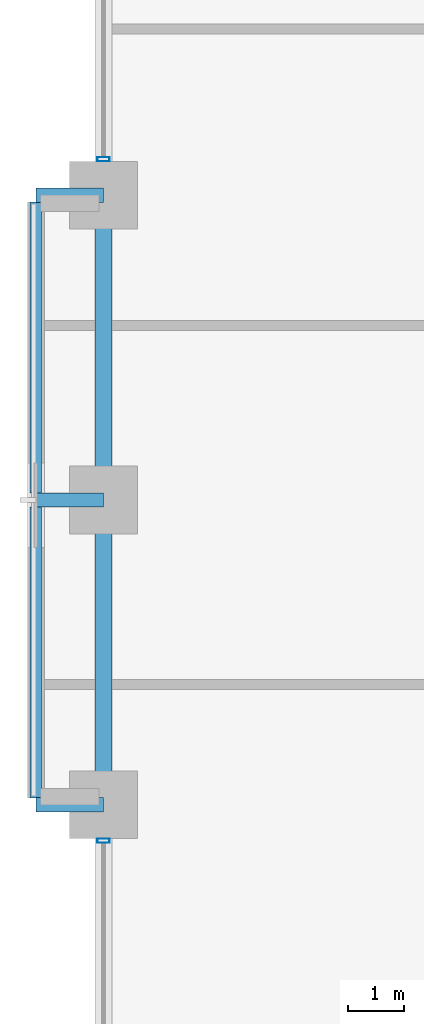
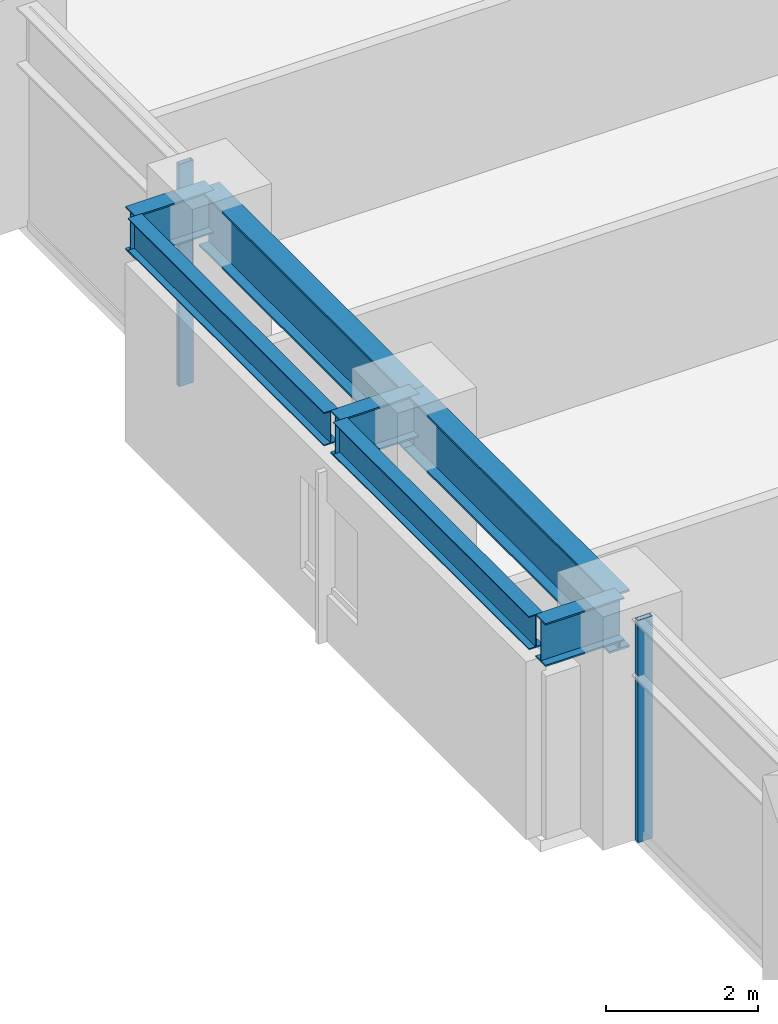
# One storey, part 6 of 26: 7 beams, 2 members, 2 elements without a shape of their own.
"""IFC4 building model written with IfcOpenShell, lengths in metres."""

from ifc_helpers import new_model, si_unit, direction, frame, origin, origin_2d, place, context, subcontext, project, spatial, hollow_rectangle, i_section, extrude, material, layer, layer_set, material_profile, profile_set, type_object, element, aggregate, save


model = new_model("IFC4")

# Units and contexts
model_context = context("Model", 3, precision=1e-05, world=origin(), true_north=direction((0.0, 1.0)))
body_context = subcontext(model_context, "Body", "Model", "MODEL_VIEW")
ifc_project = project(units=[si_unit("LENGTHUNIT", "METRE"), si_unit("AREAUNIT", "SQUARE_METRE"), si_unit("VOLUMEUNIT", "CUBIC_METRE"), si_unit("PLANEANGLEUNIT", "RADIAN"), si_unit("MASSUNIT", "GRAM", prefix="KILO")], contexts=[model_context])

# Site, building, storey
site_placement = place(None, origin())
site = spatial("IfcSite", under=ifc_project, at=site_placement, CompositionType="ELEMENT")
building_placement = place(site_placement, origin())
building = spatial("IfcBuilding", under=site, at=building_placement, Name="Surkhivell Harbour Commons", CompositionType="ELEMENT")
storey_placement = place(building_placement, frame((0.0, 0.0, 60.0)))
storey = spatial("IfcBuildingStorey", under=building, at=storey_placement, Name="L15", CompositionType="ELEMENT", Elevation=60.0)

# Beams
ifc_material_1 = material(Name="Steel S460", Category="steel")
ifc_material_profile_1 = material_profile(ifc_material_1, i_section(OverallWidth=0.256103515625, OverallDepth=0.693115234375, WebThickness=0.014404296875, FlangeThickness=0.023681640625, at=origin_2d()), Name="UB686x254x170")
ifc_profile_set_1 = profile_set([ifc_material_profile_1], Name="Steel S460")
beam_type_1 = type_object("IfcBeamType", Name="BM-CNT-686", PredefinedType="BEAM", material=ifc_profile_set_1)
for number, where, z_axis, x_axis, name in (
    (1, (-32.39990234375, -5.39990234375, 3.223388671875), (-1.0, 0.0, 0.0), (0.0, -1.0, 0.0), "L15 Box Cantilever Outrigger (-32.4,-5.4)"),
    (2, (-32.39990234375, 0.0, 3.223388671875), (-1.0, 0.0, 0.0), (0.0, -1.0, 0.0), "L15 Box Cantilever Outrigger (-32.4,0.0)"),
    (3, (-32.39990234375, 5.39990234375, 3.223388671875), (-1.0, 0.0, 0.0), (0.0, -1.0, 0.0), "L15 Box Cantilever Outrigger (-32.4,5.4)"),
):
    element("IfcBeam", number, at=place(storey_placement, frame(where, z_axis=z_axis, x_axis=x_axis)), inside=storey, type_object=beam_type_1, Name=name, PredefinedType="BEAM", context=body_context, shape_type="SweptSolid", body=[
        extrude(i_section(OverallWidth=0.256103515625, OverallDepth=0.693115234375, WebThickness=0.014404296875, FlangeThickness=0.023681640625, at=origin_2d()), origin(), (0.0, 0.0, 1.0), 1.2001953125),
    ])
ifc_material_2 = material(Name="Steel S355", Category="steel")
ifc_material_profile_2 = material_profile(ifc_material_2, i_section(OverallWidth=0.2099609375, OverallDepth=0.537109375, WebThickness=0.0107421875, FlangeThickness=0.017333984375, at=origin_2d()), Name="UB533x210x101")
ifc_profile_set_2 = profile_set([ifc_material_profile_2], Name="Steel S355")
beam_type_2 = type_object("IfcBeamType", Name="BM-GRD-533B", PredefinedType="BEAM", material=ifc_profile_set_2)
for number, where, z_axis, x_axis, name in (
    (4, (-33.60009765625, -5.278076171875, 3.301513671875), (0.0, 1.0, 0.0), (-1.0, 0.0, 0.0), "L15 Box Rim Spandrel (-33.6,-5.4)"),
    (5, (-33.60009765625, 0.1220703125, 3.301513671875), (0.0, 1.0, 0.0), (-1.0, 0.0, 0.0), "L15 Box Rim Spandrel (-33.6,0.0)"),
):
    element("IfcBeam", number, at=place(storey_placement, frame(where, z_axis=z_axis, x_axis=x_axis)), inside=storey, type_object=beam_type_2, Name=name, PredefinedType="BEAM", context=body_context, shape_type="SweptSolid", body=[
        extrude(i_section(OverallWidth=0.2099609375, OverallDepth=0.537109375, WebThickness=0.0107421875, FlangeThickness=0.017333984375, at=origin_2d()), origin(), (0.0, 0.0, 1.0), 5.156005859375),
    ])
ifc_material_profile_3 = material_profile(ifc_material_1, i_section(OverallWidth=0.30810546875, OverallDepth=0.927001953125, WebThickness=0.01953125, FlangeThickness=0.031982421875, at=origin_2d()), Name="UB914x305x289")
ifc_profile_set_3 = profile_set([ifc_material_profile_3], Name="Steel S460")
beam_type_3 = type_object("IfcBeamType", Name="BM-SPN-914B", PredefinedType="SPANDREL", material=ifc_profile_set_3)
for number, where, z_axis, x_axis, name in (
    (6, (-32.39990234375, -5.39990234375, 3.1064453125), (0.0, 1.0, 0.0), (-1.0, 0.0, 0.0), "L15 Tube Spandrel (-32.4,-5.4)"),
    (7, (-32.39990234375, 0.0, 3.1064453125), (0.0, 1.0, 0.0), (-1.0, 0.0, 0.0), "L15 Tube Spandrel (-32.4,0.0)"),
):
    element("IfcBeam", number, at=place(storey_placement, frame(where, z_axis=z_axis, x_axis=x_axis)), inside=storey, type_object=beam_type_3, Name=name, PredefinedType="SPANDREL", context=body_context, shape_type="SweptSolid", body=[
        extrude(i_section(OverallWidth=0.30810546875, OverallDepth=0.927001953125, WebThickness=0.01953125, FlangeThickness=0.031982421875, at=origin_2d()), origin(), (0.0, 0.0, 1.0), 5.39990234375),
    ])

# Curtain wall, member
ifc_material_3 = material(Name="Anodised pale-metal aluminium and insulated glazing", Category="aluminium")
ifc_layer = layer(ifc_material_3, 0.219970703125)
ifc_layer_set = layer_set([ifc_layer], Name="Anodised pale-metal aluminium and insulated glazing")
curtain_wall_type = type_object("IfcCurtainWallType", Name="CW-SYS-Z1", PredefinedType="NOTDEFINED", material=ifc_layer_set)
curtain_wall_1_placement = place(storey_placement, origin())
curtain_wall_1 = element("IfcCurtainWall", 8, at=curtain_wall_1_placement, inside=storey, type_object=curtain_wall_type, Name="L15 Curtain Wall CW-L15-E12R1S2", PredefinedType="NOTDEFINED")
ifc_material_4 = material(Name="Anodised pale-metal aluminium alloy 6063-T6", Category="aluminium")
ifc_material_profile_4 = material_profile(ifc_material_4, hollow_rectangle(XDim=0.074951171875, YDim=0.219970703125, WallThickness=0.00390625, at=origin_2d()), Name="ALU-MULL-75x220")
ifc_profile_set_4 = profile_set([ifc_material_profile_4], Name="Anodised pale-metal aluminium alloy 6063-T6")
member_type = type_object("IfcMemberType", Name="CWM-220", PredefinedType="MULLION", material=ifc_profile_set_4)
member_1_placement = place(storey_placement, frame((-32.39990234375, -6.03955078125, 0.0), z_axis=(0.0, 0.0, 1.0), x_axis=(0.0, 1.0, 0.0)))
member_1 = element("IfcMember", 9, at=member_1_placement, type_object=member_type, Name="CW-Z1 mullion 2", PredefinedType="MULLION", context=body_context, shape_type="SweptSolid", body=[
    extrude(hollow_rectangle(XDim=0.074951171875, YDim=0.219970703125, WallThickness=0.00390625, at=origin_2d()), origin(), (0.0, 0.0, 1.0), 3.570068359375),
])
aggregate(curtain_wall_1, [member_1])

curtain_wall_2_placement = place(storey_placement, origin())
curtain_wall_2 = element("IfcCurtainWall", 10, at=curtain_wall_2_placement, inside=storey, type_object=curtain_wall_type, Name="L15 Curtain Wall CW-L15-E12R2", PredefinedType="NOTDEFINED")
member_2_placement = place(storey_placement, frame((-32.39990234375, 6.03955078125, 0.0), z_axis=(0.0, 0.0, 1.0), x_axis=(0.0, 1.0, 0.0)))
member_2 = element("IfcMember", 11, at=member_2_placement, type_object=member_type, Name="CW-Z1 mullion 1", PredefinedType="MULLION", context=body_context, shape_type="SweptSolid", body=[
    extrude(hollow_rectangle(XDim=0.074951171875, YDim=0.219970703125, WallThickness=0.00390625, at=origin_2d()), origin(), (0.0, 0.0, 1.0), 3.570068359375),
])
aggregate(curtain_wall_2, [member_2])

save(model, "model.ifc")
